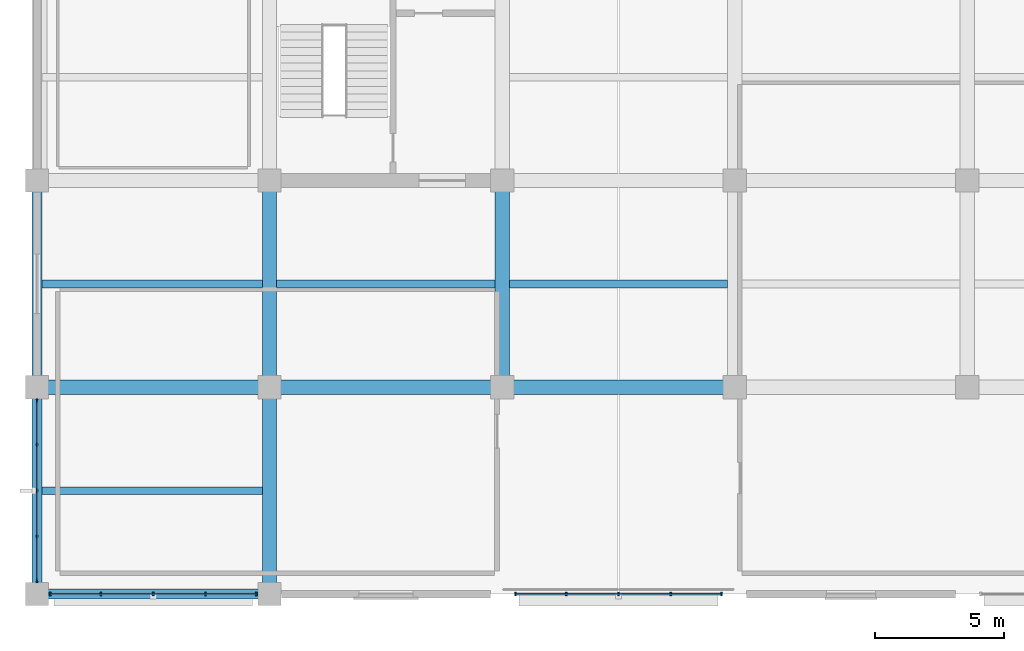
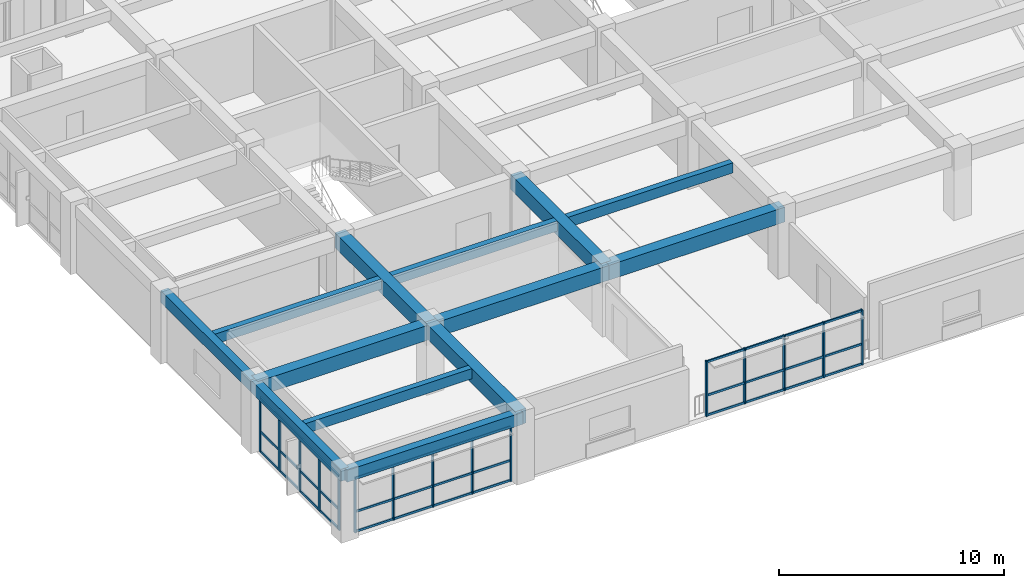
# One storey, part 2 of 16: 24 members, 13 beams, 3 elements without a shape of their own.
"""IFC4 building model written with IfcOpenShell, lengths in metres."""

from ifc_helpers import new_model, si_unit, direction, frame, origin, origin_2d, place, context, subcontext, project, spatial, rectangle, extrude, material, material_profile, profile_set, type_object, element, aggregate, save


model = new_model("IFC4")

# Units and contexts
model_context = context("Model", 3, precision=1e-05, world=origin(), true_north=direction((0.0, 1.0)))
body_context = subcontext(model_context, "Body", "Model", "MODEL_VIEW")
ifc_project = project(units=[si_unit("LENGTHUNIT", "METRE"), si_unit("AREAUNIT", "SQUARE_METRE"), si_unit("VOLUMEUNIT", "CUBIC_METRE"), si_unit("PLANEANGLEUNIT", "RADIAN"), si_unit("MASSUNIT", "GRAM", prefix="KILO")], contexts=[model_context])

# Site, building, storey
site_placement = place(None, origin())
site = spatial("IfcSite", under=ifc_project, at=site_placement, CompositionType="ELEMENT")
building_placement = place(site_placement, origin())
building = spatial("IfcBuilding", under=site, at=building_placement, Name="Zaverband Oceanarium and Marine Research Institute", CompositionType="ELEMENT")
storey_placement = place(building_placement, frame((0.0, 0.0, 29.699951171875)))
storey = spatial("IfcBuildingStorey", under=building, at=storey_placement, Name="L07", CompositionType="ELEMENT", Elevation=29.699951171875)

# Beams
ifc_material_1 = material(Name="Concrete C40/50", Category="concrete")
ifc_material_profile_1 = material_profile(ifc_material_1, rectangle(XDim=0.550048828125, YDim=0.800048828125, at=origin_2d()), Name="RC550x800")
ifc_profile_set_1 = profile_set([ifc_material_profile_1], Name="Concrete C40/50")
beam_type_1 = type_object("IfcBeamType", Name="BM-550x800", PredefinedType="BEAM", material=ifc_profile_set_1)
for number, where, z_axis, x_axis, name in (
    (1, (9.0, 72.0, 3.25), (1.0, 0.0, 0.0), (0.0, 1.0, 0.0), "Primary floor girder BM-550x800"),
    (2, (18.0, 72.0, 3.25), (1.0, 0.0, 0.0), (0.0, 1.0, 0.0), "Primary floor girder BM-550x800"),
    (3, (27.0, 72.0, 3.25), (1.0, 0.0, 0.0), (0.0, 1.0, 0.0), "Primary floor girder BM-550x800"),
):
    element("IfcBeam", number, at=place(storey_placement, frame(where, z_axis=z_axis, x_axis=x_axis)), inside=storey, type_object=beam_type_1, Name=name, PredefinedType="BEAM", context=body_context, shape_type="SweptSolid", body=[
        extrude(rectangle(XDim=0.550048828125, YDim=0.800048828125, at=origin_2d()), origin(), (0.0, 0.0, 1.0), 9.0),
    ])
for number, where, z_axis, x_axis, name in (
    (4, (18.0, 64.0, 3.25), (0.0, 1.0, 0.0), (-1.0, 0.0, 0.0), "Primary floor girder BM-550x800"),
    (5, (18.0, 72.0, 3.25), (0.0, 1.0, 0.0), (-1.0, 0.0, 0.0), "Primary floor girder BM-550x800"),
    (6, (27.0, 72.0, 3.25), (0.0, 1.0, 0.0), (-1.0, 0.0, 0.0), "Primary floor girder BM-550x800"),
):
    element("IfcBeam", number, at=place(storey_placement, frame(where, z_axis=z_axis, x_axis=x_axis)), inside=storey, type_object=beam_type_1, Name=name, PredefinedType="BEAM", context=body_context, shape_type="SweptSolid", body=[
        extrude(rectangle(XDim=0.550048828125, YDim=0.800048828125, at=origin_2d()), origin(), (0.0, 0.0, 1.0), 8.0),
    ])
ifc_material_profile_2 = material_profile(ifc_material_1, rectangle(XDim=0.300048828125, YDim=0.550048828125, at=origin_2d()), Name="RC300x550")
ifc_profile_set_2 = profile_set([ifc_material_profile_2], Name="Concrete C40/50")
beam_type_2 = type_object("IfcBeamType", Name="JST-300x550", PredefinedType="JOIST", material=ifc_profile_set_2)
for number, where, z_axis, x_axis, name in (
    (7, (9.199951171875, 68.0, 3.375), (1.0, 0.0, 0.0), (0.0, 1.0, 0.0), "Secondary floor joist JST-300x550"),
    (8, (9.199951171875, 76.0, 3.375), (1.0, 0.0, 0.0), (0.0, 1.0, 0.0), "Secondary floor joist JST-300x550"),
):
    element("IfcBeam", number, at=place(storey_placement, frame(where, z_axis=z_axis, x_axis=x_axis)), inside=storey, type_object=beam_type_2, Name=name, PredefinedType="JOIST", context=body_context, shape_type="SweptSolid", body=[
        extrude(rectangle(XDim=0.300048828125, YDim=0.550048828125, at=origin_2d()), origin(), (0.0, 0.0, 1.0), 8.525146484375),
    ])
for number, where, z_axis, x_axis, name in (
    (9, (18.27490234375, 76.0, 3.375), (1.0, 0.0, 0.0), (0.0, 1.0, 0.0), "Secondary floor joist JST-300x550"),
    (10, (27.27490234375, 76.0, 3.375), (1.0, 0.0, 0.0), (0.0, 1.0, 0.0), "Secondary floor joist JST-300x550"),
):
    element("IfcBeam", number, at=place(storey_placement, frame(where, z_axis=z_axis, x_axis=x_axis)), inside=storey, type_object=beam_type_2, Name=name, PredefinedType="JOIST", context=body_context, shape_type="SweptSolid", body=[
        extrude(rectangle(XDim=0.300048828125, YDim=0.550048828125, at=origin_2d()), origin(), (0.0, 0.0, 1.0), 8.4501953125),
    ])

# Curtain wall, members
ifc_material_2 = material(Name="Thermally broken anodized aluminium and solar-control glass", Category="aluminium")
curtain_wall_type = type_object("IfcCurtainWallType", Name="CW-UNIT-1800", PredefinedType="NOTDEFINED", material=ifc_material_2)
curtain_wall_1_placement = place(storey_placement, origin())
curtain_wall_1 = element("IfcCurtainWall", 11, at=curtain_wall_1_placement, inside=storey, type_object=curtain_wall_type, Name="Unitised glazed curtain wall CW-085", PredefinedType="NOTDEFINED")
ifc_material_3 = material(Name="Thermally broken anodized aluminium", Category="aluminium")
ifc_material_profile_3 = material_profile(ifc_material_3, rectangle(XDim=0.070068359375, YDim=0.14990234375, at=origin_2d()), Name="AL-MUL-70x150")
ifc_profile_set_3 = profile_set([ifc_material_profile_3], Name="Thermally broken anodized aluminium")
member_type_1 = type_object("IfcMemberType", Name="MUL-70x150", PredefinedType="MULLION", material=ifc_profile_set_3)
member_1_placement = place(storey_placement, frame((9.514892578125, 64.0, 0.0), z_axis=(0.0, 0.0, 1.0), x_axis=(1.0, 0.0, 0.0)))
member_1 = element("IfcMember", 12, at=member_1_placement, type_object=member_type_1, Name="Curtain wall vertical mullion MUL-70x150", PredefinedType="MULLION", context=body_context, shape_type="SweptSolid", body=[
    extrude(rectangle(XDim=0.070068359375, YDim=0.14990234375, at=origin_2d()), origin(), (0.0, 0.0, 1.0), 2.97998046875),
])
member_2_placement = place(storey_placement, frame((11.4775390625, 64.0, 0.0), z_axis=(0.0, 0.0, 1.0), x_axis=(1.0, 0.0, 0.0)))
member_2 = element("IfcMember", 13, at=member_2_placement, type_object=member_type_1, Name="Curtain wall vertical mullion MUL-70x150", PredefinedType="MULLION", context=body_context, shape_type="SweptSolid", body=[
    extrude(rectangle(XDim=0.070068359375, YDim=0.14990234375, at=origin_2d()), origin(), (0.0, 0.0, 1.0), 2.97998046875),
])
member_3_placement = place(storey_placement, frame((13.5, 64.0, 0.0), z_axis=(0.0, 0.0, 1.0), x_axis=(1.0, 0.0, 0.0)))
member_3 = element("IfcMember", 14, at=member_3_placement, type_object=member_type_1, Name="Curtain wall vertical mullion MUL-70x150", PredefinedType="MULLION", context=body_context, shape_type="SweptSolid", body=[
    extrude(rectangle(XDim=0.070068359375, YDim=0.14990234375, at=origin_2d()), origin(), (0.0, 0.0, 1.0), 2.97998046875),
])
member_4_placement = place(storey_placement, frame((15.5224609375, 64.0, 0.0), z_axis=(0.0, 0.0, 1.0), x_axis=(1.0, 0.0, 0.0)))
member_4 = element("IfcMember", 15, at=member_4_placement, type_object=member_type_1, Name="Curtain wall vertical mullion MUL-70x150", PredefinedType="MULLION", context=body_context, shape_type="SweptSolid", body=[
    extrude(rectangle(XDim=0.070068359375, YDim=0.14990234375, at=origin_2d()), origin(), (0.0, 0.0, 1.0), 2.97998046875),
])
member_5_placement = place(storey_placement, frame((17.485107421875, 64.0, 0.0), z_axis=(0.0, 0.0, 1.0), x_axis=(1.0, 0.0, 0.0)))
member_5 = element("IfcMember", 16, at=member_5_placement, type_object=member_type_1, Name="Curtain wall vertical mullion MUL-70x150", PredefinedType="MULLION", context=body_context, shape_type="SweptSolid", body=[
    extrude(rectangle(XDim=0.070068359375, YDim=0.14990234375, at=origin_2d()), origin(), (0.0, 0.0, 1.0), 2.97998046875),
])

curtain_wall_2_placement = place(storey_placement, origin())
curtain_wall_2 = element("IfcCurtainWall", 17, at=curtain_wall_2_placement, inside=storey, type_object=curtain_wall_type, Name="Unitised glazed curtain wall CW-086", PredefinedType="NOTDEFINED")
member_6_placement = place(storey_placement, frame((27.514892578125, 64.0, 0.0), z_axis=(0.0, 0.0, 1.0), x_axis=(1.0, 0.0, 0.0)))
member_6 = element("IfcMember", 18, at=member_6_placement, type_object=member_type_1, Name="Curtain wall vertical mullion MUL-70x150", PredefinedType="MULLION", context=body_context, shape_type="SweptSolid", body=[
    extrude(rectangle(XDim=0.070068359375, YDim=0.14990234375, at=origin_2d()), origin(), (0.0, 0.0, 1.0), 2.97998046875),
])
member_7_placement = place(storey_placement, frame((29.4775390625, 64.0, 0.0), z_axis=(0.0, 0.0, 1.0), x_axis=(1.0, 0.0, 0.0)))
member_7 = element("IfcMember", 19, at=member_7_placement, type_object=member_type_1, Name="Curtain wall vertical mullion MUL-70x150", PredefinedType="MULLION", context=body_context, shape_type="SweptSolid", body=[
    extrude(rectangle(XDim=0.070068359375, YDim=0.14990234375, at=origin_2d()), origin(), (0.0, 0.0, 1.0), 2.97998046875),
])
member_8_placement = place(storey_placement, frame((31.5, 64.0, 0.0), z_axis=(0.0, 0.0, 1.0), x_axis=(1.0, 0.0, 0.0)))
member_8 = element("IfcMember", 20, at=member_8_placement, type_object=member_type_1, Name="Curtain wall vertical mullion MUL-70x150", PredefinedType="MULLION", context=body_context, shape_type="SweptSolid", body=[
    extrude(rectangle(XDim=0.070068359375, YDim=0.14990234375, at=origin_2d()), origin(), (0.0, 0.0, 1.0), 2.97998046875),
])
member_9_placement = place(storey_placement, frame((33.5224609375, 64.0, 0.0), z_axis=(0.0, 0.0, 1.0), x_axis=(1.0, 0.0, 0.0)))
member_9 = element("IfcMember", 21, at=member_9_placement, type_object=member_type_1, Name="Curtain wall vertical mullion MUL-70x150", PredefinedType="MULLION", context=body_context, shape_type="SweptSolid", body=[
    extrude(rectangle(XDim=0.070068359375, YDim=0.14990234375, at=origin_2d()), origin(), (0.0, 0.0, 1.0), 2.97998046875),
])
member_10_placement = place(storey_placement, frame((35.485107421875, 64.0, 0.0), z_axis=(0.0, 0.0, 1.0), x_axis=(1.0, 0.0, 0.0)))
member_10 = element("IfcMember", 22, at=member_10_placement, type_object=member_type_1, Name="Curtain wall vertical mullion MUL-70x150", PredefinedType="MULLION", context=body_context, shape_type="SweptSolid", body=[
    extrude(rectangle(XDim=0.070068359375, YDim=0.14990234375, at=origin_2d()), origin(), (0.0, 0.0, 1.0), 2.97998046875),
])

curtain_wall_3_placement = place(storey_placement, origin())
curtain_wall_3 = element("IfcCurtainWall", 23, at=curtain_wall_3_placement, inside=storey, type_object=curtain_wall_type, Name="Unitised glazed curtain wall CW-091", PredefinedType="NOTDEFINED")
member_11_placement = place(storey_placement, frame((9.0, 64.514892578125, 0.0), z_axis=(0.0, 0.0, 1.0), x_axis=(1.0, 0.0, 0.0)))
member_11 = element("IfcMember", 24, at=member_11_placement, type_object=member_type_1, Name="Curtain wall vertical mullion MUL-70x150", PredefinedType="MULLION", context=body_context, shape_type="SweptSolid", body=[
    extrude(rectangle(XDim=0.070068359375, YDim=0.14990234375, at=origin_2d()), origin(), (0.0, 0.0, 1.0), 2.97998046875),
])
member_12_placement = place(storey_placement, frame((9.0, 66.2275390625, 0.0), z_axis=(0.0, 0.0, 1.0), x_axis=(1.0, 0.0, 0.0)))
member_12 = element("IfcMember", 25, at=member_12_placement, type_object=member_type_1, Name="Curtain wall vertical mullion MUL-70x150", PredefinedType="MULLION", context=body_context, shape_type="SweptSolid", body=[
    extrude(rectangle(XDim=0.070068359375, YDim=0.14990234375, at=origin_2d()), origin(), (0.0, 0.0, 1.0), 2.97998046875),
])
member_13_placement = place(storey_placement, frame((9.0, 68.0, 0.0), z_axis=(0.0, 0.0, 1.0), x_axis=(1.0, 0.0, 0.0)))
member_13 = element("IfcMember", 26, at=member_13_placement, type_object=member_type_1, Name="Curtain wall vertical mullion MUL-70x150", PredefinedType="MULLION", context=body_context, shape_type="SweptSolid", body=[
    extrude(rectangle(XDim=0.070068359375, YDim=0.14990234375, at=origin_2d()), origin(), (0.0, 0.0, 1.0), 2.97998046875),
])
member_14_placement = place(storey_placement, frame((9.0, 69.7724609375, 0.0), z_axis=(0.0, 0.0, 1.0), x_axis=(1.0, 0.0, 0.0)))
member_14 = element("IfcMember", 27, at=member_14_placement, type_object=member_type_1, Name="Curtain wall vertical mullion MUL-70x150", PredefinedType="MULLION", context=body_context, shape_type="SweptSolid", body=[
    extrude(rectangle(XDim=0.070068359375, YDim=0.14990234375, at=origin_2d()), origin(), (0.0, 0.0, 1.0), 2.97998046875),
])
member_15_placement = place(storey_placement, frame((9.0, 71.485107421875, 0.0), z_axis=(0.0, 0.0, 1.0), x_axis=(1.0, 0.0, 0.0)))
member_15 = element("IfcMember", 28, at=member_15_placement, type_object=member_type_1, Name="Curtain wall vertical mullion MUL-70x150", PredefinedType="MULLION", context=body_context, shape_type="SweptSolid", body=[
    extrude(rectangle(XDim=0.070068359375, YDim=0.14990234375, at=origin_2d()), origin(), (0.0, 0.0, 1.0), 2.97998046875),
])

# Beams
ifc_material_profile_4 = material_profile(ifc_material_1, rectangle(XDim=0.39990234375, YDim=0.64990234375, at=origin_2d()), Name="RC400x650")
ifc_profile_set_4 = profile_set([ifc_material_profile_4], Name="Concrete C40/50")
beam_type_3 = type_object("IfcBeamType", Name="SPN-400x650", PredefinedType="SPANDREL", material=ifc_profile_set_4)
beam_placement = place(storey_placement, frame((9.0, 64.0, 3.324951171875), z_axis=(1.0, 0.0, 0.0), x_axis=(0.0, 1.0, 0.0)))
element("IfcBeam", 29, at=beam_placement, inside=storey, type_object=beam_type_3, Name="Perimeter spandrel beam SPN-400x650", PredefinedType="SPANDREL", context=body_context, shape_type="SweptSolid", body=[
    extrude(rectangle(XDim=0.39990234375, YDim=0.64990234375, at=origin_2d()), origin(), (0.0, 0.0, 1.0), 9.0),
])
for number, where, z_axis, x_axis, name in (
    (30, (9.0, 64.0, 3.324951171875), (0.0, 1.0, 0.0), (-1.0, 0.0, 0.0), "Perimeter spandrel beam SPN-400x650"),
    (31, (9.0, 72.0, 3.324951171875), (0.0, 1.0, 0.0), (-1.0, 0.0, 0.0), "Perimeter spandrel beam SPN-400x650"),
):
    element("IfcBeam", number, at=place(storey_placement, frame(where, z_axis=z_axis, x_axis=x_axis)), inside=storey, type_object=beam_type_3, Name=name, PredefinedType="SPANDREL", context=body_context, shape_type="SweptSolid", body=[
        extrude(rectangle(XDim=0.39990234375, YDim=0.64990234375, at=origin_2d()), origin(), (0.0, 0.0, 1.0), 8.0),
    ])

# Member
ifc_material_profile_5 = material_profile(ifc_material_3, rectangle(XDim=0.070068359375, YDim=0.114990234375, at=origin_2d()), Name="AL-TRN-70x115")
ifc_profile_set_5 = profile_set([ifc_material_profile_5], Name="Thermally broken anodized aluminium")
member_type_2 = type_object("IfcMemberType", Name="TRN-70x115", PredefinedType="USERDEFINED", material=ifc_profile_set_5)
member_16_placement = place(storey_placement, frame((9.514892578125, 64.0, 0.050048828125), z_axis=(1.0, 0.0, 0.0), x_axis=(0.0, 1.0, 0.0)))
member_16 = element("IfcMember", 32, at=member_16_placement, type_object=member_type_2, Name="Curtain wall horizontal transom TRN-70x115", ObjectType="TRANSOM", PredefinedType="USERDEFINED", context=body_context, shape_type="SweptSolid", body=[
    extrude(rectangle(XDim=0.070068359375, YDim=0.114990234375, at=origin_2d()), origin(), (0.0, 0.0, 1.0), 7.97021484375),
])

member_17_placement = place(storey_placement, frame((9.514892578125, 64.0, 1.123046875), z_axis=(1.0, 0.0, 0.0), x_axis=(0.0, 1.0, 0.0)))
member_17 = element("IfcMember", 33, at=member_17_placement, type_object=member_type_2, Name="Curtain wall horizontal transom TRN-70x115", ObjectType="TRANSOM", PredefinedType="USERDEFINED", context=body_context, shape_type="SweptSolid", body=[
    extrude(rectangle(XDim=0.070068359375, YDim=0.114990234375, at=origin_2d()), origin(), (0.0, 0.0, 1.0), 7.97021484375),
])

member_18_placement = place(storey_placement, frame((9.514892578125, 64.0, 2.929931640625), z_axis=(1.0, 0.0, 0.0), x_axis=(0.0, 1.0, 0.0)))
member_18 = element("IfcMember", 34, at=member_18_placement, type_object=member_type_2, Name="Curtain wall horizontal transom TRN-70x115", ObjectType="TRANSOM", PredefinedType="USERDEFINED", context=body_context, shape_type="SweptSolid", body=[
    extrude(rectangle(XDim=0.070068359375, YDim=0.114990234375, at=origin_2d()), origin(), (0.0, 0.0, 1.0), 7.97021484375),
])

aggregate(curtain_wall_1, [member_1, member_2, member_3, member_4, member_5, member_16, member_17, member_18])

member_19_placement = place(storey_placement, frame((27.514892578125, 64.0, 0.050048828125), z_axis=(1.0, 0.0, 0.0), x_axis=(0.0, 1.0, 0.0)))
member_19 = element("IfcMember", 35, at=member_19_placement, type_object=member_type_2, Name="Curtain wall horizontal transom TRN-70x115", ObjectType="TRANSOM", PredefinedType="USERDEFINED", context=body_context, shape_type="SweptSolid", body=[
    extrude(rectangle(XDim=0.070068359375, YDim=0.114990234375, at=origin_2d()), origin(), (0.0, 0.0, 1.0), 7.97021484375),
])

member_20_placement = place(storey_placement, frame((27.514892578125, 64.0, 1.123046875), z_axis=(1.0, 0.0, 0.0), x_axis=(0.0, 1.0, 0.0)))
member_20 = element("IfcMember", 36, at=member_20_placement, type_object=member_type_2, Name="Curtain wall horizontal transom TRN-70x115", ObjectType="TRANSOM", PredefinedType="USERDEFINED", context=body_context, shape_type="SweptSolid", body=[
    extrude(rectangle(XDim=0.070068359375, YDim=0.114990234375, at=origin_2d()), origin(), (0.0, 0.0, 1.0), 7.97021484375),
])

member_21_placement = place(storey_placement, frame((27.514892578125, 64.0, 2.929931640625), z_axis=(1.0, 0.0, 0.0), x_axis=(0.0, 1.0, 0.0)))
member_21 = element("IfcMember", 37, at=member_21_placement, type_object=member_type_2, Name="Curtain wall horizontal transom TRN-70x115", ObjectType="TRANSOM", PredefinedType="USERDEFINED", context=body_context, shape_type="SweptSolid", body=[
    extrude(rectangle(XDim=0.070068359375, YDim=0.114990234375, at=origin_2d()), origin(), (0.0, 0.0, 1.0), 7.97021484375),
])

aggregate(curtain_wall_2, [member_6, member_7, member_8, member_9, member_10, member_19, member_20, member_21])

member_22_placement = place(storey_placement, frame((9.0, 64.514892578125, 0.050048828125), z_axis=(0.0, 1.0, 0.0), x_axis=(-1.0, 0.0, 0.0)))
member_22 = element("IfcMember", 38, at=member_22_placement, type_object=member_type_2, Name="Curtain wall horizontal transom TRN-70x115", ObjectType="TRANSOM", PredefinedType="USERDEFINED", context=body_context, shape_type="SweptSolid", body=[
    extrude(rectangle(XDim=0.070068359375, YDim=0.114990234375, at=origin_2d()), origin(), (0.0, 0.0, 1.0), 6.97021484375),
])

member_23_placement = place(storey_placement, frame((9.0, 64.514892578125, 1.123046875), z_axis=(0.0, 1.0, 0.0), x_axis=(-1.0, 0.0, 0.0)))
member_23 = element("IfcMember", 39, at=member_23_placement, type_object=member_type_2, Name="Curtain wall horizontal transom TRN-70x115", ObjectType="TRANSOM", PredefinedType="USERDEFINED", context=body_context, shape_type="SweptSolid", body=[
    extrude(rectangle(XDim=0.070068359375, YDim=0.114990234375, at=origin_2d()), origin(), (0.0, 0.0, 1.0), 6.97021484375),
])

member_24_placement = place(storey_placement, frame((9.0, 64.514892578125, 2.929931640625), z_axis=(0.0, 1.0, 0.0), x_axis=(-1.0, 0.0, 0.0)))
member_24 = element("IfcMember", 40, at=member_24_placement, type_object=member_type_2, Name="Curtain wall horizontal transom TRN-70x115", ObjectType="TRANSOM", PredefinedType="USERDEFINED", context=body_context, shape_type="SweptSolid", body=[
    extrude(rectangle(XDim=0.070068359375, YDim=0.114990234375, at=origin_2d()), origin(), (0.0, 0.0, 1.0), 6.97021484375),
])

aggregate(curtain_wall_3, [member_11, member_12, member_13, member_14, member_15, member_22, member_23, member_24])

save(model, "model.ifc")
